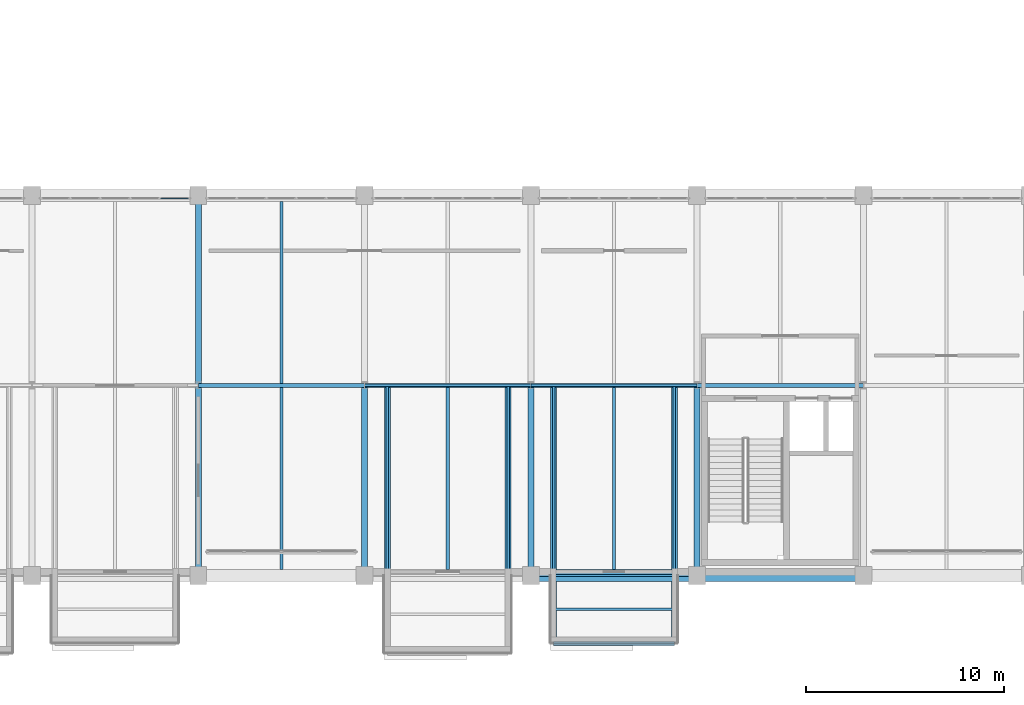
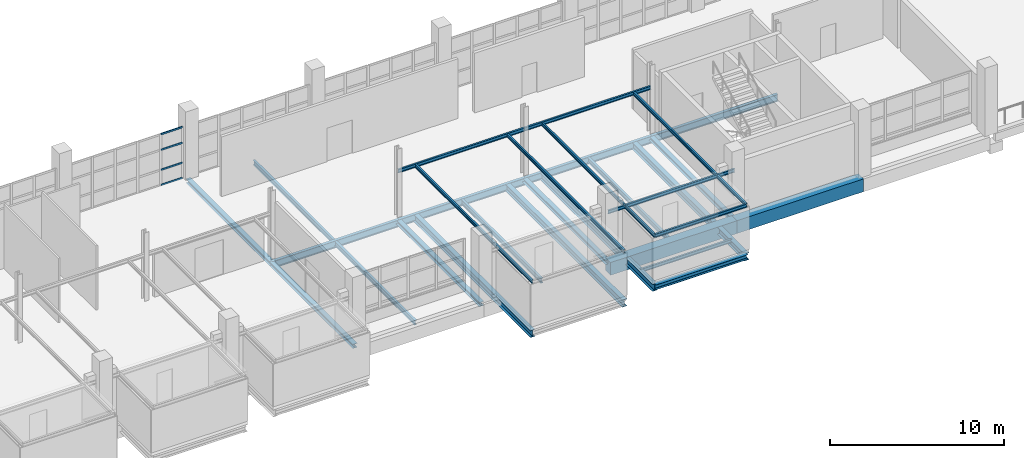
# One storey, part 11 of 29: 29 beams, 4 members, 1 element without a shape of its own.
"""IFC4 building model written with IfcOpenShell, lengths in metres."""

from ifc_helpers import new_model, si_unit, direction, frame, origin, origin_2d, place, context, subcontext, project, spatial, rectangle, hollow_rectangle, i_section, extrude, material, material_profile, profile_set, type_object, element, aggregate, save


model = new_model("IFC4")

# Units and contexts
model_context = context("Model", 3, precision=1e-05, world=origin(), true_north=direction((0.0, 1.0)))
body_context = subcontext(model_context, "Body", "Model", "MODEL_VIEW")
ifc_project = project(units=[si_unit("LENGTHUNIT", "METRE"), si_unit("AREAUNIT", "SQUARE_METRE"), si_unit("VOLUMEUNIT", "CUBIC_METRE"), si_unit("PLANEANGLEUNIT", "RADIAN"), si_unit("MASSUNIT", "GRAM", prefix="KILO")], contexts=[model_context])

# Site, building, storey
site_placement = place(None, origin())
site = spatial("IfcSite", under=ifc_project, at=site_placement, CompositionType="ELEMENT")
building_placement = place(site_placement, origin())
building = spatial("IfcBuilding", under=site, at=building_placement, Name="Veltarok Museum of Natural Sciences", CompositionType="ELEMENT")
storey_placement = place(building_placement, frame((0.0, 0.0, 26.39990234375)))
storey = spatial("IfcBuildingStorey", under=building, at=storey_placement, Name="L05", CompositionType="ELEMENT", Elevation=26.39990234375)

# Beams
ifc_material_1 = material(Name="Steel S355J2", Category="steel")
ifc_material_profile_1 = material_profile(ifc_material_1, i_section(OverallWidth=0.300048828125, OverallDepth=0.5, WebThickness=0.014404296875, FlangeThickness=0.028076171875, FilletRadius=0.027099609375, at=origin_2d()), Name="HEB 500")
ifc_profile_set_1 = profile_set([ifc_material_profile_1], Name="Steel S355J2")
beam_type_1 = type_object("IfcBeamType", Name="Cabinet Box Cantilever Girder HEB 500", PredefinedType="BEAM", material=ifc_profile_set_1)
for number, where, z_axis, x_axis, name in (
    (1, (74.75, -3.89990234375, -0.5), (0.0, 1.0, 0.0), (-1.0, 0.0, 0.0), "Cabinet Cantilever Girder DB-28-1"),
    (2, (80.85009765625, -3.89990234375, -0.5), (0.0, 1.0, 0.0), (-1.0, 0.0, 0.0), "Cabinet Cantilever Girder DB-28-2"),
):
    element("IfcBeam", number, at=place(storey_placement, frame(where, z_axis=z_axis, x_axis=x_axis)), inside=storey, type_object=beam_type_1, Name=name, PredefinedType="BEAM", context=body_context, shape_type="SweptSolid", body=[
        extrude(i_section(OverallWidth=0.300048828125, OverallDepth=0.5, WebThickness=0.014404296875, FlangeThickness=0.028076171875, FilletRadius=0.027099609375, at=origin_2d()), origin(), (0.0, 0.0, 1.0), 13.5),
    ])
for number, where, z_axis, x_axis, name in (
    (3, (83.14990234375, -3.39990234375, -0.5), (0.0, 1.0, 0.0), (-1.0, 0.0, 0.0), "Cabinet Cantilever Girder DB-29-1"),
    (4, (89.25, -3.39990234375, -0.5), (0.0, 1.0, 0.0), (-1.0, 0.0, 0.0), "Cabinet Cantilever Girder DB-29-2"),
):
    element("IfcBeam", number, at=place(storey_placement, frame(where, z_axis=z_axis, x_axis=x_axis)), inside=storey, type_object=beam_type_1, Name=name, PredefinedType="BEAM", context=body_context, shape_type="SweptSolid", body=[
        extrude(i_section(OverallWidth=0.300048828125, OverallDepth=0.5, WebThickness=0.014404296875, FlangeThickness=0.028076171875, FilletRadius=0.027099609375, at=origin_2d()), origin(), (0.0, 0.0, 1.0), 13.0),
    ])
ifc_material_profile_2 = material_profile(ifc_material_1, i_section(OverallWidth=0.1201171875, OverallDepth=0.239990234375, WebThickness=0.006103515625, FlangeThickness=0.009765625, FilletRadius=0.014892578125, at=origin_2d()), Name="IPE 240")
ifc_profile_set_2 = profile_set([ifc_material_profile_2], Name="Steel S355J2")
beam_type_2 = type_object("IfcBeamType", Name="Cabinet Box Secondary Joist IPE 240", PredefinedType="JOIST", material=ifc_profile_set_2)
for number, where, z_axis, x_axis, name in (
    (5, (74.75, -3.89990234375, 3.130126953125), (0.0, 1.0, 0.0), (-1.0, 0.0, 0.0), "Cabinet Roof Rafter DB-28-1"),
    (6, (80.85009765625, -3.89990234375, 3.130126953125), (0.0, 1.0, 0.0), (-1.0, 0.0, 0.0), "Cabinet Roof Rafter DB-28-2"),
):
    element("IfcBeam", number, at=place(storey_placement, frame(where, z_axis=z_axis, x_axis=x_axis)), inside=storey, type_object=beam_type_2, Name=name, PredefinedType="JOIST", context=body_context, shape_type="SweptSolid", body=[
        extrude(i_section(OverallWidth=0.1201171875, OverallDepth=0.239990234375, WebThickness=0.006103515625, FlangeThickness=0.009765625, FilletRadius=0.014892578125, at=origin_2d()), origin(), (0.0, 0.0, 1.0), 13.5),
    ])
beam_1_placement = place(storey_placement, frame((73.60009765625, 9.60009765625, 3.130126953125), z_axis=(1.0, 0.0, 0.0), x_axis=(0.0, 1.0, 0.0)))
element("IfcBeam", 7, at=beam_1_placement, inside=storey, type_object=beam_type_2, Name="Cabinet Roof Tie Beam DB-28-I", PredefinedType="JOIST", context=body_context, shape_type="SweptSolid", body=[
    extrude(i_section(OverallWidth=0.1201171875, OverallDepth=0.239990234375, WebThickness=0.006103515625, FlangeThickness=0.009765625, FilletRadius=0.014892578125, at=origin_2d()), origin(), (0.0, 0.0, 1.0), 8.39990234375),
])
for number, where, z_axis, x_axis, name in (
    (8, (83.14990234375, -3.39990234375, 3.130126953125), (0.0, 1.0, 0.0), (-1.0, 0.0, 0.0), "Cabinet Roof Rafter DB-29-1"),
    (9, (89.25, -3.39990234375, 3.130126953125), (0.0, 1.0, 0.0), (-1.0, 0.0, 0.0), "Cabinet Roof Rafter DB-29-2"),
):
    element("IfcBeam", number, at=place(storey_placement, frame(where, z_axis=z_axis, x_axis=x_axis)), inside=storey, type_object=beam_type_2, Name=name, PredefinedType="JOIST", context=body_context, shape_type="SweptSolid", body=[
        extrude(i_section(OverallWidth=0.1201171875, OverallDepth=0.239990234375, WebThickness=0.006103515625, FlangeThickness=0.009765625, FilletRadius=0.014892578125, at=origin_2d()), origin(), (0.0, 0.0, 1.0), 13.0),
    ])
for number, where, z_axis, x_axis, name in (
    (10, (82.0, 0.0, 3.130126953125), (1.0, 0.0, 0.0), (0.0, 1.0, 0.0), "Cabinet Roof Tie Beam DB-29-P"),
    (11, (82.0, 9.60009765625, 3.130126953125), (1.0, 0.0, 0.0), (0.0, 1.0, 0.0), "Cabinet Roof Tie Beam DB-29-I"),
):
    element("IfcBeam", number, at=place(storey_placement, frame(where, z_axis=z_axis, x_axis=x_axis)), inside=storey, type_object=beam_type_2, Name=name, PredefinedType="JOIST", context=body_context, shape_type="SweptSolid", body=[
        extrude(i_section(OverallWidth=0.1201171875, OverallDepth=0.239990234375, WebThickness=0.006103515625, FlangeThickness=0.009765625, FilletRadius=0.014892578125, at=origin_2d()), origin(), (0.0, 0.0, 1.0), 8.39990234375),
    ])
for number, where, z_axis, x_axis, name in (
    (12, (83.14990234375, -3.39990234375, 3.130126953125), (1.0, 0.0, 0.0), (0.0, 1.0, 0.0), "Cabinet Roof Tip Header DB-29"),
    (13, (83.14990234375, -1.699951171875, -0.369873046875), (1.0, 0.0, 0.0), (0.0, 1.0, 0.0), "Cabinet Box Joist DB-29"),
):
    element("IfcBeam", number, at=place(storey_placement, frame(where, z_axis=z_axis, x_axis=x_axis)), inside=storey, type_object=beam_type_2, Name=name, PredefinedType="JOIST", context=body_context, shape_type="SweptSolid", body=[
        extrude(i_section(OverallWidth=0.1201171875, OverallDepth=0.239990234375, WebThickness=0.006103515625, FlangeThickness=0.009765625, FilletRadius=0.014892578125, at=origin_2d()), origin(), (0.0, 0.0, 1.0), 6.10009765625),
    ])
ifc_material_profile_3 = material_profile(ifc_material_1, i_section(OverallWidth=0.300048828125, OverallDepth=0.35009765625, WebThickness=0.010009765625, FlangeThickness=0.017578125, FilletRadius=0.027099609375, at=origin_2d()), Name="HEA 360")
ifc_profile_set_3 = profile_set([ifc_material_profile_3], Name="Steel S355J2")
beam_type_3 = type_object("IfcBeamType", Name="Cabinet Box Tip Header HEA 360", PredefinedType="BEAM", material=ifc_profile_set_3)
beam_2_placement = place(storey_placement, frame((83.14990234375, -3.39990234375, -0.4248046875), z_axis=(1.0, 0.0, 0.0), x_axis=(0.0, 1.0, 0.0)))
element("IfcBeam", 14, at=beam_2_placement, inside=storey, type_object=beam_type_3, Name="Cabinet Tip Header DB-29", PredefinedType="BEAM", context=body_context, shape_type="SweptSolid", body=[
    extrude(i_section(OverallWidth=0.300048828125, OverallDepth=0.35009765625, WebThickness=0.010009765625, FlangeThickness=0.017578125, FilletRadius=0.027099609375, at=origin_2d()), origin(), (0.0, 0.0, 1.0), 6.10009765625),
])

# Curtain wall, members
ifc_material_2 = material(Name="Low-iron triple insulated glass", Category="glass")
curtain_wall_type = type_object("IfcCurtainWallType", Name="Curtain Wall System CW-V1N-L05-755x362 (V1 North Overlook L05 755x362cm)", PredefinedType="NOTDEFINED", material=ifc_material_2)
curtain_wall_placement = place(storey_placement, origin())
curtain_wall = element("IfcCurtainWall", 15, at=curtain_wall_placement, inside=storey, type_object=curtain_wall_type, Name="Curtain Wall CW-V1N-L05-755x362 CW-0014", PredefinedType="NOTDEFINED")
ifc_material_3 = material(Name="Thermally broken anodised aluminium", Category="aluminium")
ifc_material_profile_4 = material_profile(ifc_material_3, hollow_rectangle(XDim=0.06005859375, YDim=0.1201171875, WallThickness=0.0048828125, at=origin_2d()), Name="CW TRANSOM 60x120x5")
ifc_profile_set_4 = profile_set([ifc_material_profile_4], Name="Thermally broken anodised aluminium")
member_type = type_object("IfcMemberType", Name="Curtain Wall Horizontal Transom 60x120x5", PredefinedType="USERDEFINED", material=ifc_profile_set_4)
member_1_placement = place(storey_placement, frame((64.715087890625, 19.050048828125, 0.030029296875), z_axis=(-1.0, 0.0, 0.0), x_axis=(0.0, -1.0, 0.0)))
member_1 = element("IfcMember", 16, at=member_1_placement, type_object=member_type, Name="CW-V1N-L05-755x362 transom 1.1", ObjectType="TRANSOM", PredefinedType="USERDEFINED", context=body_context, shape_type="SweptSolid", body=[
    extrude(hollow_rectangle(XDim=0.06005859375, YDim=0.1201171875, WallThickness=0.0048828125, at=origin_2d()), origin(), (0.0, 0.0, 1.0), 1.420166015625),
])
member_2_placement = place(storey_placement, frame((64.715087890625, 19.050048828125, 1.10009765625), z_axis=(-1.0, 0.0, 0.0), x_axis=(0.0, -1.0, 0.0)))
member_2 = element("IfcMember", 17, at=member_2_placement, type_object=member_type, Name="CW-V1N-L05-755x362 transom 1.2", ObjectType="TRANSOM", PredefinedType="USERDEFINED", context=body_context, shape_type="SweptSolid", body=[
    extrude(hollow_rectangle(XDim=0.06005859375, YDim=0.1201171875, WallThickness=0.0048828125, at=origin_2d()), origin(), (0.0, 0.0, 1.0), 1.420166015625),
])
member_3_placement = place(storey_placement, frame((64.715087890625, 19.050048828125, 2.5), z_axis=(-1.0, 0.0, 0.0), x_axis=(0.0, -1.0, 0.0)))
member_3 = element("IfcMember", 18, at=member_3_placement, type_object=member_type, Name="CW-V1N-L05-755x362 transom 1.3", ObjectType="TRANSOM", PredefinedType="USERDEFINED", context=body_context, shape_type="SweptSolid", body=[
    extrude(hollow_rectangle(XDim=0.06005859375, YDim=0.1201171875, WallThickness=0.0048828125, at=origin_2d()), origin(), (0.0, 0.0, 1.0), 1.420166015625),
])
member_4_placement = place(storey_placement, frame((64.715087890625, 19.050048828125, 3.590087890625), z_axis=(-1.0, 0.0, 0.0), x_axis=(0.0, -1.0, 0.0)))
member_4 = element("IfcMember", 19, at=member_4_placement, type_object=member_type, Name="CW-V1N-L05-755x362 transom 1.4", ObjectType="TRANSOM", PredefinedType="USERDEFINED", context=body_context, shape_type="SweptSolid", body=[
    extrude(hollow_rectangle(XDim=0.06005859375, YDim=0.1201171875, WallThickness=0.0048828125, at=origin_2d()), origin(), (0.0, 0.0, 1.0), 1.420166015625),
])
aggregate(curtain_wall, [member_1, member_2, member_3, member_4])

# Beams
ifc_material_4 = material(Name="Concrete C40/50", Category="concrete")
ifc_material_profile_5 = material_profile(ifc_material_4, rectangle(XDim=0.60009765625, YDim=0.89990234375, at=origin_2d()), Name="RC 600x900")
ifc_profile_set_5 = profile_set([ifc_material_profile_5], Name="Concrete C40/50")
beam_type_4 = type_object("IfcBeamType", Name="Exposed Cabinet Perimeter Spandrel RC 600x900", PredefinedType="SPANDREL", material=ifc_profile_set_5)
beam_3_placement = place(storey_placement, frame((82.0, 0.0, -0.699951171875), z_axis=(1.0, 0.0, 0.0), x_axis=(0.0, 1.0, 0.0)))
element("IfcBeam", 20, at=beam_3_placement, inside=storey, type_object=beam_type_4, Name="Beam BM-SP01 L05 10-11/A", PredefinedType="SPANDREL", context=body_context, shape_type="SweptSolid", body=[
    extrude(rectangle(XDim=0.60009765625, YDim=0.89990234375, at=origin_2d()), origin(), (0.0, 0.0, 1.0), 8.39990234375),
])
beam_4_placement = place(storey_placement, frame((90.39990234375, 0.0, -0.699951171875), z_axis=(1.0, 0.0, 0.0), x_axis=(0.0, 1.0, 0.0)))
element("IfcBeam", 21, at=beam_4_placement, inside=storey, type_object=beam_type_4, Name="Beam BM-SP01 L05 11-12/A", PredefinedType="SPANDREL", context=body_context, shape_type="SweptSolid", body=[
    extrude(rectangle(XDim=0.60009765625, YDim=0.89990234375, at=origin_2d()), origin(), (0.0, 0.0, 1.0), 8.400146484375),
])
ifc_material_profile_6 = material_profile(ifc_material_1, i_section(OverallWidth=0.300048828125, OverallDepth=0.2900390625, WebThickness=0.008544921875, FlangeThickness=0.013916015625, FilletRadius=0.027099609375, at=origin_2d()), Name="HEA 300")
ifc_profile_set_6 = profile_set([ifc_material_profile_6], Name="Steel S355J2")
beam_type_5 = type_object("IfcBeamType", Name="Glazed Hall Edge Spandrel HEA 300", PredefinedType="SPANDREL", material=ifc_profile_set_6)
beam_5_placement = place(storey_placement, frame((65.199951171875, 0.0, -0.39501953125), z_axis=(0.0, 1.0, 0.0), x_axis=(-1.0, 0.0, 0.0)))
element("IfcBeam", 22, at=beam_5_placement, inside=storey, type_object=beam_type_5, Name="Beam BM-SP03 L05 8/A-B", PredefinedType="SPANDREL", context=body_context, shape_type="SweptSolid", body=[
    extrude(i_section(OverallWidth=0.300048828125, OverallDepth=0.2900390625, WebThickness=0.008544921875, FlangeThickness=0.013916015625, FilletRadius=0.027099609375, at=origin_2d()), origin(), (0.0, 0.0, 1.0), 9.60009765625),
])
beam_6_placement = place(storey_placement, frame((65.199951171875, 9.60009765625, -0.39501953125), z_axis=(0.0, 1.0, 0.0), x_axis=(-1.0, 0.0, 0.0)))
element("IfcBeam", 23, at=beam_6_placement, inside=storey, type_object=beam_type_5, Name="Beam BM-SP03 L05 8/B-C", PredefinedType="SPANDREL", context=body_context, shape_type="SweptSolid", body=[
    extrude(i_section(OverallWidth=0.300048828125, OverallDepth=0.2900390625, WebThickness=0.008544921875, FlangeThickness=0.013916015625, FilletRadius=0.027099609375, at=origin_2d()), origin(), (0.0, 0.0, 1.0), 9.599853515625),
])
for number, where, z_axis, x_axis, name in (
    (24, (73.60009765625, 0.0, -0.39501953125), (0.0, 1.0, 0.0), (-1.0, 0.0, 0.0), "Beam BM-SP03 L05 9/A-B"),
    (25, (82.0, 0.0, -0.39501953125), (0.0, 1.0, 0.0), (-1.0, 0.0, 0.0), "Beam BM-SP03 L05 10/A-B"),
    (26, (90.39990234375, 0.0, -0.39501953125), (0.0, 1.0, 0.0), (-1.0, 0.0, 0.0), "Beam BM-SP03 L05 11/A-B"),
):
    element("IfcBeam", number, at=place(storey_placement, frame(where, z_axis=z_axis, x_axis=x_axis)), inside=storey, type_object=beam_type_5, Name=name, PredefinedType="SPANDREL", context=body_context, shape_type="SweptSolid", body=[
        extrude(i_section(OverallWidth=0.300048828125, OverallDepth=0.2900390625, WebThickness=0.008544921875, FlangeThickness=0.013916015625, FilletRadius=0.027099609375, at=origin_2d()), origin(), (0.0, 0.0, 1.0), 9.60009765625),
    ])
ifc_material_profile_7 = material_profile(ifc_material_1, i_section(OverallWidth=0.159912109375, OverallDepth=0.330078125, WebThickness=0.007568359375, FlangeThickness=0.011474609375, FilletRadius=0.01806640625, at=origin_2d()), Name="IPE 330")
ifc_profile_set_7 = profile_set([ifc_material_profile_7], Name="Steel S355J2")
beam_type_6 = type_object("IfcBeamType", Name="Medium-Bay Composite Joist IPE 330", PredefinedType="JOIST", material=ifc_profile_set_7)
beam_7_placement = place(storey_placement, frame((69.39990234375, 0.298095703125, -0.414794921875), z_axis=(0.0, 1.0, 0.0), x_axis=(-1.0, 0.0, 0.0)))
element("IfcBeam", 27, at=beam_7_placement, inside=storey, type_object=beam_type_6, Name="Secondary Joist BM-J02 L05 8-9/A-B.1", PredefinedType="JOIST", context=body_context, shape_type="SweptSolid", body=[
    extrude(i_section(OverallWidth=0.159912109375, OverallDepth=0.330078125, WebThickness=0.007568359375, FlangeThickness=0.011474609375, FilletRadius=0.01806640625, at=origin_2d()), origin(), (0.0, 0.0, 1.0), 9.203857421875),
])
beam_8_placement = place(storey_placement, frame((69.39990234375, 9.697998046875, -0.414794921875), z_axis=(0.0, 1.0, 0.0), x_axis=(-1.0, 0.0, 0.0)))
element("IfcBeam", 28, at=beam_8_placement, inside=storey, type_object=beam_type_6, Name="Secondary Joist BM-J02 L05 8-9/B-C.1", PredefinedType="JOIST", context=body_context, shape_type="SweptSolid", body=[
    extrude(i_section(OverallWidth=0.159912109375, OverallDepth=0.330078125, WebThickness=0.007568359375, FlangeThickness=0.011474609375, FilletRadius=0.01806640625, at=origin_2d()), origin(), (0.0, 0.0, 1.0), 9.2041015625),
])
for number, where, z_axis, x_axis, name in (
    (29, (77.800048828125, 0.298095703125, -0.414794921875), (0.0, 1.0, 0.0), (-1.0, 0.0, 0.0), "Secondary Joist BM-J02 L05 9-10/A-B.1"),
    (30, (86.199951171875, 0.298095703125, -0.414794921875), (0.0, 1.0, 0.0), (-1.0, 0.0, 0.0), "Secondary Joist BM-J02 L05 10-11/A-B.1"),
):
    element("IfcBeam", number, at=place(storey_placement, frame(where, z_axis=z_axis, x_axis=x_axis)), inside=storey, type_object=beam_type_6, Name=name, PredefinedType="JOIST", context=body_context, shape_type="SweptSolid", body=[
        extrude(i_section(OverallWidth=0.159912109375, OverallDepth=0.330078125, WebThickness=0.007568359375, FlangeThickness=0.011474609375, FilletRadius=0.01806640625, at=origin_2d()), origin(), (0.0, 0.0, 1.0), 9.203857421875),
    ])
ifc_material_profile_8 = material_profile(ifc_material_1, i_section(OverallWidth=0.199951171875, OverallDepth=0.5, WebThickness=0.01025390625, FlangeThickness=0.01611328125, FilletRadius=0.02099609375, at=origin_2d()), Name="IPE 500")
ifc_profile_set_8 = profile_set([ifc_material_profile_8], Name="Steel S355J2")
beam_type_7 = type_object("IfcBeamType", Name="Standard Gallery Girder IPE 500", PredefinedType="BEAM", material=ifc_profile_set_8)
beam_9_placement = place(storey_placement, frame((65.199951171875, 9.60009765625, -0.5), z_axis=(1.0, 0.0, 0.0), x_axis=(0.0, 1.0, 0.0)))
element("IfcBeam", 31, at=beam_9_placement, inside=storey, type_object=beam_type_7, Name="Beam BM-G04 L05 8-9/B", PredefinedType="BEAM", context=body_context, shape_type="SweptSolid", body=[
    extrude(i_section(OverallWidth=0.199951171875, OverallDepth=0.5, WebThickness=0.01025390625, FlangeThickness=0.01611328125, FilletRadius=0.02099609375, at=origin_2d()), origin(), (0.0, 0.0, 1.0), 8.400146484375),
])
for number, where, z_axis, x_axis, name in (
    (32, (73.60009765625, 9.60009765625, -0.5), (1.0, 0.0, 0.0), (0.0, 1.0, 0.0), "Beam BM-G04 L05 9-10/B"),
    (33, (82.0, 9.60009765625, -0.5), (1.0, 0.0, 0.0), (0.0, 1.0, 0.0), "Beam BM-G04 L05 10-11/B"),
):
    element("IfcBeam", number, at=place(storey_placement, frame(where, z_axis=z_axis, x_axis=x_axis)), inside=storey, type_object=beam_type_7, Name=name, PredefinedType="BEAM", context=body_context, shape_type="SweptSolid", body=[
        extrude(i_section(OverallWidth=0.199951171875, OverallDepth=0.5, WebThickness=0.01025390625, FlangeThickness=0.01611328125, FilletRadius=0.02099609375, at=origin_2d()), origin(), (0.0, 0.0, 1.0), 8.39990234375),
    ])
beam_10_placement = place(storey_placement, frame((90.39990234375, 9.60009765625, -0.5), z_axis=(1.0, 0.0, 0.0), x_axis=(0.0, 1.0, 0.0)))
element("IfcBeam", 34, at=beam_10_placement, inside=storey, type_object=beam_type_7, Name="Beam BM-G04 L05 11-12/B", PredefinedType="BEAM", context=body_context, shape_type="SweptSolid", body=[
    extrude(i_section(OverallWidth=0.199951171875, OverallDepth=0.5, WebThickness=0.01025390625, FlangeThickness=0.01611328125, FilletRadius=0.02099609375, at=origin_2d()), origin(), (0.0, 0.0, 1.0), 8.400146484375),
])

save(model, "model.ifc")
